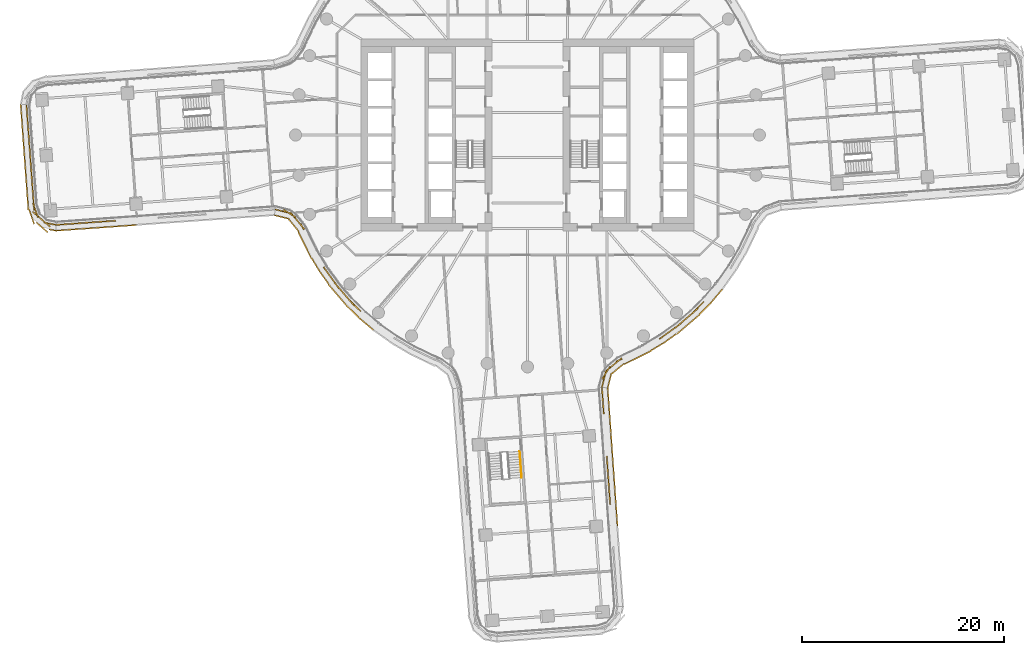
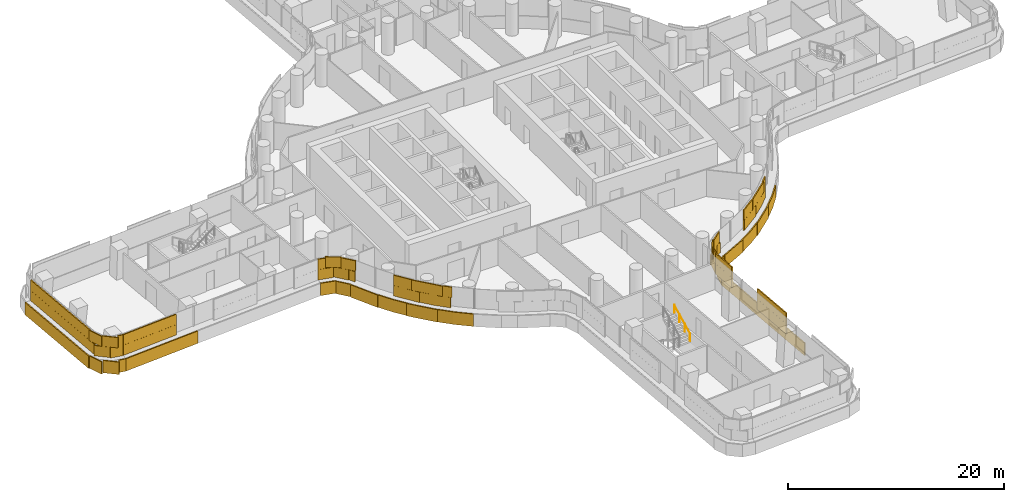
# One storey, part 26 of 31: 5 coverings, 1 railing.
"""IFC4 building model written with IfcOpenShell, lengths in metres."""

from ifc_helpers import new_model, si_unit, direction, frame, origin, origin_2d, place, context, subcontext, project, spatial, rectangle, circle, extrude, material, layer, layer_set, type_object, element, save


model = new_model("IFC4")

# Units and contexts
model_context = context("Model", 3, precision=1e-05, world=origin(), true_north=direction((0.0, 1.0)))
body_context = subcontext(model_context, "Body", "Model", "MODEL_VIEW")
ifc_project = project(units=[si_unit("LENGTHUNIT", "METRE"), si_unit("AREAUNIT", "SQUARE_METRE"), si_unit("VOLUMEUNIT", "CUBIC_METRE"), si_unit("PLANEANGLEUNIT", "RADIAN"), si_unit("MASSUNIT", "GRAM", prefix="KILO")], contexts=[model_context])

# Site, building, storey
site_placement = place(None, origin())
site = spatial("IfcSite", under=ifc_project, at=site_placement, CompositionType="ELEMENT")
building_placement = place(site_placement, origin())
building = spatial("IfcBuilding", under=site, at=building_placement, Name="Tamarind Cross Interchange Tower", CompositionType="ELEMENT")
storey_placement = place(building_placement, frame((0.0, 0.0, 49.0)))
storey = spatial("IfcBuildingStorey", under=building, at=storey_placement, Name="L10", CompositionType="ELEMENT", Elevation=49.0)

# Railing
ifc_material_1 = material(Name="Stair handrail")
railing_type = type_object("IfcRailingType", Name="Stair handrail", PredefinedType="HANDRAIL", material=ifc_material_1)
railing_placement = place(storey_placement, frame((-0.578857421875, -33.97412109375, 2.04541015625)))
element("IfcRailing", 1, at=railing_placement, inside=storey, type_object=railing_type, Name="L10 ST6 stair handrail 2", PredefinedType="HANDRAIL", context=body_context, shape_type="SweptSolid", body=[
    extrude(circle(Radius=0.02392578125, at=origin_2d()), frame((0.0, 0.0, 0.8759765625), z_axis=(-0.060934966384, 0.834086614599, 0.548257648572), x_axis=(-0.997342050875, -0.072861742749, 0.0)), (0.0, 0.0, 1.0), 3.109130859375),
    extrude(circle(Radius=0.02099609375, at=origin_2d()), origin(), (0.0, 0.0, 1.0), 0.851806640625),
    extrude(circle(Radius=0.02099609375, at=origin_2d()), frame((-0.063232421875, 0.864501953125, 0.568115234375)), (0.0, 0.0, 1.0), 0.851806640625),
    extrude(circle(Radius=0.02099609375, at=origin_2d()), frame((-0.126220703125, 1.728759765625, 1.136474609375)), (0.0, 0.0, 1.0), 0.851806640625),
    extrude(circle(Radius=0.02099609375, at=origin_2d()), frame((-0.189453125, 2.59326171875, 1.70458984375)), (0.0, 0.0, 1.0), 0.851806640625),
])

# Coverings
ifc_material_2 = material(Name="Terracotta", Category="masonry")
ifc_layer = layer(ifc_material_2, 0.1201171875)
ifc_layer_set = layer_set([ifc_layer], Name="Terracotta")
covering_type = type_object("IfcCoveringType", Name="Terracotta baguette screen unit", PredefinedType="MOLDING", material=ifc_layer_set)
covering_1_placement = place(storey_placement, origin())
element("IfcCovering", 2, at=covering_1_placement, inside=storey, type_object=covering_type, Name="SCR-L10-04-00", PredefinedType="MOLDING", context=body_context, shape_type="SweptSolid", body=[
    extrude(rectangle(XDim=1.510009765625, YDim=0.1201171875, at=origin_2d()), frame((-49.640380859375, 2.25341796875, 1.404052734375), z_axis=(0.0, 0.0, 1.0), x_axis=(0.072876138746, -0.997340999058, 0.0)), (0.0, 0.0, 1.0), 1.1669921875),
    extrude(rectangle(XDim=1.52001953125, YDim=0.1201171875, at=origin_2d()), frame((-49.53125, 0.757568359375, 1.404052734375), z_axis=(0.0, 0.0, 1.0), x_axis=(0.072876138746, -0.997340999058, 0.0)), (0.0, 0.0, 1.0), 1.1669921875),
    extrude(rectangle(XDim=1.52001953125, YDim=0.1201171875, at=origin_2d()), frame((-49.421875, -0.738525390625, 1.404052734375), z_axis=(0.0, 0.0, 1.0), x_axis=(0.072876138746, -0.997340999058, 0.0)), (0.0, 0.0, 1.0), 1.1669921875),
    extrude(rectangle(XDim=1.52001953125, YDim=0.1201171875, at=origin_2d()), frame((-49.3125, -2.234619140625, 1.404052734375), z_axis=(0.0, 0.0, 1.0), x_axis=(0.072876138746, -0.997340999058, 0.0)), (0.0, 0.0, 1.0), 1.1669921875),
    extrude(rectangle(XDim=1.52001953125, YDim=0.1201171875, at=origin_2d()), frame((-49.203125, -3.73046875, 1.404052734375), z_axis=(0.0, 0.0, 1.0), x_axis=(0.072876138746, -0.997340999058, 0.0)), (0.0, 0.0, 1.0), 1.1669921875),
    extrude(rectangle(XDim=1.52001953125, YDim=0.1201171875, at=origin_2d()), frame((-49.093994140625, -5.2265625, 1.404052734375), z_axis=(0.0, 0.0, 1.0), x_axis=(0.072876138746, -0.997340999058, 0.0)), (0.0, 0.0, 1.0), 1.1669921875),
    extrude(rectangle(XDim=1.52001953125, YDim=0.1201171875, at=origin_2d()), frame((-48.984619140625, -6.72265625, 1.404052734375), z_axis=(0.0, 0.0, 1.0), x_axis=(0.072876138746, -0.997340999058, 0.0)), (0.0, 0.0, 1.0), 1.1669921875),
    extrude(rectangle(XDim=1.52001953125, YDim=0.1201171875, at=origin_2d()), frame((-48.495361328125, -8.108642578125, 1.404052734375), z_axis=(0.0, 0.0, 1.0), x_axis=(0.756757795483, -0.653695371695, 0.0)), (0.0, 0.0, 1.0), 1.1669921875),
    extrude(rectangle(XDim=1.259521484375, YDim=0.1201171875, at=origin_2d()), frame((-47.3544921875, -8.79931640625, 1.404052734375), z_axis=(0.0, 0.0, 1.0), x_axis=(0.982219161248, -0.187737900482, 0.0)), (0.0, 0.0, 1.0), 1.1669921875),
    extrude(rectangle(XDim=0.760009765625, YDim=0.1201171875, at=origin_2d()), frame((-49.667724609375, 2.62744140625, 2.5791015625), z_axis=(0.0, 0.0, 1.0), x_axis=(0.072876138746, -0.997340999058, 0.0)), (0.0, 0.0, 1.0), 1.1669921875),
    extrude(rectangle(XDim=1.52001953125, YDim=0.1201171875, at=origin_2d()), frame((-49.5859375, 1.505615234375, 2.5791015625), z_axis=(0.0, 0.0, 1.0), x_axis=(0.072876138746, -0.997340999058, 0.0)), (0.0, 0.0, 1.0), 1.1669921875),
    extrude(rectangle(XDim=1.52001953125, YDim=0.1201171875, at=origin_2d()), frame((-49.4765625, 0.009521484375, 2.5791015625), z_axis=(0.0, 0.0, 1.0), x_axis=(0.072876138746, -0.997340999058, 0.0)), (0.0, 0.0, 1.0), 1.1669921875),
    extrude(rectangle(XDim=1.52001953125, YDim=0.1201171875, at=origin_2d()), frame((-49.3671875, -1.486572265625, 2.5791015625), z_axis=(0.0, 0.0, 1.0), x_axis=(0.072876138746, -0.997340999058, 0.0)), (0.0, 0.0, 1.0), 1.1669921875),
    extrude(rectangle(XDim=1.52001953125, YDim=0.1201171875, at=origin_2d()), frame((-49.2578125, -2.982421875, 2.5791015625), z_axis=(0.0, 0.0, 1.0), x_axis=(0.072876138746, -0.997340999058, 0.0)), (0.0, 0.0, 1.0), 1.1669921875),
    extrude(rectangle(XDim=1.52001953125, YDim=0.1201171875, at=origin_2d()), frame((-49.148681640625, -4.478515625, 2.5791015625), z_axis=(0.0, 0.0, 1.0), x_axis=(0.072876138746, -0.997340999058, 0.0)), (0.0, 0.0, 1.0), 1.1669921875),
    extrude(rectangle(XDim=1.52001953125, YDim=0.1201171875, at=origin_2d()), frame((-49.039306640625, -5.974609375, 2.5791015625), z_axis=(0.0, 0.0, 1.0), x_axis=(0.072876138746, -0.997340999058, 0.0)), (0.0, 0.0, 1.0), 1.1669921875),
    extrude(rectangle(XDim=1.52001953125, YDim=0.1201171875, at=origin_2d()), frame((-48.80810546875, -7.4453125, 2.5791015625), z_axis=(0.0, 0.0, 1.0), x_axis=(0.328523789553, -0.944495695966, 0.0)), (0.0, 0.0, 1.0), 1.1669921875),
    extrude(rectangle(XDim=1.52001953125, YDim=0.1201171875, at=origin_2d()), frame((-47.927734375, -8.598876953125, 2.5791015625), z_axis=(0.0, 0.0, 1.0), x_axis=(0.756757795483, -0.653695371695, 0.0)), (0.0, 0.0, 1.0), 1.1669921875),
    extrude(rectangle(XDim=0.509521484375, YDim=0.1201171875, at=origin_2d()), frame((-46.986083984375, -8.869873046875, 2.5791015625), z_axis=(0.0, 0.0, 1.0), x_axis=(0.982219161248, -0.187737900482, 0.0)), (0.0, 0.0, 1.0), 1.1669921875),
    extrude(rectangle(XDim=1.510009765625, YDim=0.1201171875, at=origin_2d()), frame((-50.218017578125, 2.281982421875, 0.00390625), z_axis=(0.0, 0.0, 1.0), x_axis=(0.072876138746, -0.997340999058, 0.0)), (0.0, 0.0, 1.0), 1.39208984375),
    extrude(rectangle(XDim=1.52001953125, YDim=0.1201171875, at=origin_2d()), frame((-50.109130859375, 0.791015625, 0.00390625), z_axis=(0.0, 0.0, 1.0), x_axis=(0.072876138746, -0.997340999058, 0.0)), (0.0, 0.0, 1.0), 1.39208984375),
    extrude(rectangle(XDim=1.52001953125, YDim=0.1201171875, at=origin_2d()), frame((-49.999755859375, -0.705078125, 0.00390625), z_axis=(0.0, 0.0, 1.0), x_axis=(0.072876138746, -0.997340999058, 0.0)), (0.0, 0.0, 1.0), 1.39208984375),
    extrude(rectangle(XDim=1.52001953125, YDim=0.1201171875, at=origin_2d()), frame((-49.890625, -2.200927734375, 0.00390625), z_axis=(0.0, 0.0, 1.0), x_axis=(0.072876138746, -0.997340999058, 0.0)), (0.0, 0.0, 1.0), 1.39208984375),
    extrude(rectangle(XDim=1.52001953125, YDim=0.1201171875, at=origin_2d()), frame((-49.78125, -3.697021484375, 0.00390625), z_axis=(0.0, 0.0, 1.0), x_axis=(0.072876138746, -0.997340999058, 0.0)), (0.0, 0.0, 1.0), 1.39208984375),
    extrude(rectangle(XDim=1.52001953125, YDim=0.1201171875, at=origin_2d()), frame((-49.671875, -5.193115234375, 0.00390625), z_axis=(0.0, 0.0, 1.0), x_axis=(0.072876138746, -0.997340999058, 0.0)), (0.0, 0.0, 1.0), 1.39208984375),
    extrude(rectangle(XDim=1.52001953125, YDim=0.1201171875, at=origin_2d()), frame((-49.5625, -6.68896484375, 0.00390625), z_axis=(0.0, 0.0, 1.0), x_axis=(0.072876138746, -0.997340999058, 0.0)), (0.0, 0.0, 1.0), 1.39208984375),
    extrude(rectangle(XDim=1.52001953125, YDim=0.1201171875, at=origin_2d()), frame((-49.178466796875, -8.128173828125, 0.00390625), z_axis=(0.0, 0.0, 1.0), x_axis=(0.328523789553, -0.944495695966, 0.0)), (0.0, 0.0, 1.0), 1.39208984375),
    extrude(rectangle(XDim=1.52001953125, YDim=0.1201171875, at=origin_2d()), frame((-48.139892578125, -9.17431640625, 0.00390625), z_axis=(0.0, 0.0, 1.0), x_axis=(0.756757795483, -0.653695371695, 0.0)), (0.0, 0.0, 1.0), 1.39208984375),
    extrude(rectangle(XDim=0.676513671875, YDim=0.1201171875, at=origin_2d()), frame((-47.107177734375, -9.43115234375, 0.00390625), z_axis=(0.0, 0.0, 1.0), x_axis=(0.982219161248, -0.187737900482, 0.0)), (0.0, 0.0, 1.0), 1.39208984375),
])
covering_2_placement = place(storey_placement, origin())
element("IfcCovering", 3, at=covering_2_placement, inside=storey, type_object=covering_type, Name="SCR-L10-05-00", PredefinedType="MOLDING", context=body_context, shape_type="SweptSolid", body=[
    extrude(rectangle(XDim=1.510009765625, YDim=0.1201171875, at=origin_2d()), frame((-45.99267578125, -8.86376953125, 1.404052734375), z_axis=(0.0, 0.0, 1.0), x_axis=(0.997505146966, 0.070593780008, 0.0)), (0.0, 0.0, 1.0), 1.1669921875),
    extrude(rectangle(XDim=1.52001953125, YDim=0.1201171875, at=origin_2d()), frame((-44.496337890625, -8.7578125, 1.404052734375), z_axis=(0.0, 0.0, 1.0), x_axis=(0.997505146966, 0.070593780008, 0.0)), (0.0, 0.0, 1.0), 1.1669921875),
    extrude(rectangle(XDim=1.52001953125, YDim=0.1201171875, at=origin_2d()), frame((-43.0, -8.65185546875, 1.404052734375), z_axis=(0.0, 0.0, 1.0), x_axis=(0.997505146966, 0.070593780008, 0.0)), (0.0, 0.0, 1.0), 1.1669921875),
    extrude(rectangle(XDim=1.421630859375, YDim=0.1201171875, at=origin_2d()), frame((-41.5478515625, -8.549072265625, 1.404052734375), z_axis=(0.0, 0.0, 1.0), x_axis=(0.997505146966, 0.070593780008, 0.0)), (0.0, 0.0, 1.0), 1.1669921875),
    extrude(rectangle(XDim=0.760009765625, YDim=0.1201171875, at=origin_2d()), frame((-46.36669921875, -8.89013671875, 2.5791015625), z_axis=(0.0, 0.0, 1.0), x_axis=(0.997505146966, 0.070593780008, 0.0)), (0.0, 0.0, 1.0), 1.1669921875),
    extrude(rectangle(XDim=1.52001953125, YDim=0.1201171875, at=origin_2d()), frame((-45.244384765625, -8.810791015625, 2.5791015625), z_axis=(0.0, 0.0, 1.0), x_axis=(0.997505146966, 0.070593780008, 0.0)), (0.0, 0.0, 1.0), 1.1669921875),
    extrude(rectangle(XDim=1.52001953125, YDim=0.1201171875, at=origin_2d()), frame((-43.748291015625, -8.704833984375, 2.5791015625), z_axis=(0.0, 0.0, 1.0), x_axis=(0.997505146966, 0.070593780008, 0.0)), (0.0, 0.0, 1.0), 1.1669921875),
    extrude(rectangle(XDim=1.52001953125, YDim=0.1201171875, at=origin_2d()), frame((-42.251953125, -8.59912109375, 2.5791015625), z_axis=(0.0, 0.0, 1.0), x_axis=(0.997505146966, 0.070593780008, 0.0)), (0.0, 0.0, 1.0), 1.1669921875),
    extrude(rectangle(XDim=0.671630859375, YDim=0.1201171875, at=origin_2d()), frame((-41.173828125, -8.522705078125, 2.5791015625), z_axis=(0.0, 0.0, 1.0), x_axis=(0.997505146966, 0.070593780008, 0.0)), (0.0, 0.0, 1.0), 1.1669921875),
    extrude(rectangle(XDim=1.510009765625, YDim=0.1201171875, at=origin_2d()), frame((-46.021728515625, -9.441162109375, 0.00390625), z_axis=(0.0, 0.0, 1.0), x_axis=(0.997505146966, 0.070593780008, 0.0)), (0.0, 0.0, 1.0), 1.39208984375),
    extrude(rectangle(XDim=1.52001953125, YDim=0.1201171875, at=origin_2d()), frame((-44.530517578125, -9.335693359375, 0.00390625), z_axis=(0.0, 0.0, 1.0), x_axis=(0.997505146966, 0.070593780008, 0.0)), (0.0, 0.0, 1.0), 1.39208984375),
    extrude(rectangle(XDim=1.52001953125, YDim=0.1201171875, at=origin_2d()), frame((-43.0341796875, -9.229736328125, 0.00390625), z_axis=(0.0, 0.0, 1.0), x_axis=(0.997505146966, 0.070593780008, 0.0)), (0.0, 0.0, 1.0), 1.39208984375),
    extrude(rectangle(XDim=1.52001953125, YDim=0.1201171875, at=origin_2d()), frame((-41.5380859375, -9.1240234375, 0.00390625), z_axis=(0.0, 0.0, 1.0), x_axis=(0.997505146966, 0.070593780008, 0.0)), (0.0, 0.0, 1.0), 1.39208984375),
    extrude(rectangle(XDim=1.52001953125, YDim=0.1201171875, at=origin_2d()), frame((-40.041748046875, -9.01806640625, 0.00390625), z_axis=(0.0, 0.0, 1.0), x_axis=(0.997505146966, 0.070593780008, 0.0)), (0.0, 0.0, 1.0), 1.39208984375),
    extrude(rectangle(XDim=0.515625, YDim=0.1201171875, at=origin_2d()), frame((-39.04638671875, -8.947509765625, 0.00390625), z_axis=(0.0, 0.0, 1.0), x_axis=(0.997505146966, 0.070593780008, 0.0)), (0.0, 0.0, 1.0), 1.39208984375),
])
covering_3_placement = place(storey_placement, origin())
element("IfcCovering", 4, at=covering_3_placement, inside=storey, type_object=covering_type, Name="SCR-L10-06-00", PredefinedType="MOLDING", context=body_context, shape_type="SweptSolid", body=[
    extrude(rectangle(XDim=1.510009765625, YDim=0.1201171875, at=origin_2d()), frame((-24.30810546875, -7.5625, 1.404052734375), z_axis=(0.0, 0.0, 1.0), x_axis=(0.970140768111, -0.24254255307, 0.0)), (0.0, 0.0, 1.0), 1.1669921875),
    extrude(rectangle(XDim=1.52001953125, YDim=0.1201171875, at=origin_2d()), frame((-23.026123046875, -8.25537109375, 1.404052734375), z_axis=(0.0, 0.0, 1.0), x_axis=(0.636504259812, -0.771273185869, 0.0)), (0.0, 0.0, 1.0), 1.1669921875),
    extrude(rectangle(XDim=0.6767578125, YDim=0.1201171875, at=origin_2d()), frame((-22.33984375, -9.093017578125, 1.404052734375), z_axis=(0.0, 0.0, 1.0), x_axis=(0.432129846879, -0.901811396821, 0.0)), (0.0, 0.0, 1.0), 1.1669921875),
    extrude(rectangle(XDim=1.143310546875, YDim=0.1201171875, at=origin_2d()), frame((-19.89208984375, -13.558837890625, 1.404052734375), z_axis=(0.0, 0.0, 1.0), x_axis=(0.584573890505, -0.811340475102, 0.0)), (0.0, 0.0, 1.0), 1.1669921875),
    extrude(rectangle(XDim=1.52001953125, YDim=0.1201171875, at=origin_2d()), frame((-19.12255859375, -14.627197265625, 1.404052734375), z_axis=(0.0, 0.0, 1.0), x_axis=(0.584573890505, -0.811340475102, 0.0)), (0.0, 0.0, 1.0), 1.1669921875),
    extrude(rectangle(XDim=1.52001953125, YDim=0.1201171875, at=origin_2d()), frame((-18.16796875, -15.783203125, 1.404052734375), z_axis=(0.0, 0.0, 1.0), x_axis=(0.64957723968, -0.760295606781, 0.0)), (0.0, 0.0, 1.0), 1.1669921875),
    extrude(rectangle(XDim=1.52001953125, YDim=0.1201171875, at=origin_2d()), frame((-17.151123046875, -16.884033203125, 1.404052734375), z_axis=(0.0, 0.0, 1.0), x_axis=(0.710143317658, -0.704057148523, 0.0)), (0.0, 0.0, 1.0), 1.1669921875),
    extrude(rectangle(XDim=0.760009765625, YDim=0.1201171875, at=origin_2d()), frame((-24.671875, -7.4716796875, 2.5791015625), z_axis=(0.0, 0.0, 1.0), x_axis=(0.970140768111, -0.24254255307, 0.0)), (0.0, 0.0, 1.0), 1.1669921875),
    extrude(rectangle(XDim=1.52001953125, YDim=0.1201171875, at=origin_2d()), frame((-23.59716796875, -7.783203125, 2.5791015625), z_axis=(0.0, 0.0, 1.0), x_axis=(0.845704488554, -0.533651494929, 0.0)), (0.0, 0.0, 1.0), 1.1669921875),
    extrude(rectangle(XDim=1.4267578125, YDim=0.1201171875, at=origin_2d()), frame((-22.5751953125, -8.8017578125, 2.5791015625), z_axis=(0.0, 0.0, 1.0), x_axis=(0.636504259812, -0.771273185869, 0.0)), (0.0, 0.0, 1.0), 1.1669921875),
    extrude(rectangle(XDim=0.393310546875, YDim=0.1201171875, at=origin_2d()), frame((-20.11083984375, -13.25439453125, 2.5791015625), z_axis=(0.0, 0.0, 1.0), x_axis=(0.515577308909, -0.856843065292, 0.0)), (0.0, 0.0, 1.0), 1.1669921875),
    extrude(rectangle(XDim=1.52001953125, YDim=0.1201171875, at=origin_2d()), frame((-19.560791015625, -14.0185546875, 2.5791015625), z_axis=(0.0, 0.0, 1.0), x_axis=(0.584573890505, -0.811340475102, 0.0)), (0.0, 0.0, 1.0), 1.1669921875),
    extrude(rectangle(XDim=1.52001953125, YDim=0.1201171875, at=origin_2d()), frame((-18.6552734375, -15.212890625, 2.5791015625), z_axis=(0.0, 0.0, 1.0), x_axis=(0.64957723968, -0.760295606781, 0.0)), (0.0, 0.0, 1.0), 1.1669921875),
    extrude(rectangle(XDim=1.52001953125, YDim=0.1201171875, at=origin_2d()), frame((-17.680908203125, -16.353515625, 2.5791015625), z_axis=(0.0, 0.0, 1.0), x_axis=(0.64957723968, -0.760295606781, 0.0)), (0.0, 0.0, 1.0), 1.1669921875),
    extrude(rectangle(XDim=0.895751953125, YDim=0.1201171875, at=origin_2d()), frame((-16.83642578125, -17.196044921875, 2.5791015625), z_axis=(0.0, 0.0, 1.0), x_axis=(0.710143317658, -0.704057148523, 0.0)), (0.0, 0.0, 1.0), 1.1669921875),
    extrude(rectangle(XDim=1.510009765625, YDim=0.1201171875, at=origin_2d()), frame((-24.35400390625, -8.142822265625, 0.00390625), z_axis=(0.0, 0.0, 1.0), x_axis=(0.970140768111, -0.24254255307, 0.0)), (0.0, 0.0, 1.0), 1.39208984375),
    extrude(rectangle(XDim=1.52001953125, YDim=0.1201171875, at=origin_2d()), frame((-23.176513671875, -8.97509765625, 0.00390625), z_axis=(0.0, 0.0, 1.0), x_axis=(0.636504259812, -0.771273185869, 0.0)), (0.0, 0.0, 1.0), 1.39208984375),
    extrude(rectangle(XDim=1.52001953125, YDim=0.1201171875, at=origin_2d()), frame((-22.41552734375, -10.256103515625, 0.00390625), z_axis=(0.0, 0.0, 1.0), x_axis=(0.443058811505, -0.896492548518, 0.0)), (0.0, 0.0, 1.0), 1.39208984375),
    extrude(rectangle(XDim=1.52001953125, YDim=0.1201171875, at=origin_2d()), frame((-21.7509765625, -11.600830078125, 0.00390625), z_axis=(0.0, 0.0, 1.0), x_axis=(0.443058811505, -0.896492548518, 0.0)), (0.0, 0.0, 1.0), 1.39208984375),
    extrude(rectangle(XDim=1.52001953125, YDim=0.1201171875, at=origin_2d()), frame((-20.99609375, -12.896240234375, 0.00390625), z_axis=(0.0, 0.0, 1.0), x_axis=(0.515577308909, -0.856843065292, 0.0)), (0.0, 0.0, 1.0), 1.39208984375),
    extrude(rectangle(XDim=1.52001953125, YDim=0.1201171875, at=origin_2d()), frame((-20.174072265625, -14.1494140625, 0.00390625), z_axis=(0.0, 0.0, 1.0), x_axis=(0.584573890505, -0.811340475102, 0.0)), (0.0, 0.0, 1.0), 1.39208984375),
    extrude(rectangle(XDim=1.52001953125, YDim=0.1201171875, at=origin_2d()), frame((-19.286376953125, -15.35791015625, 0.00390625), z_axis=(0.0, 0.0, 1.0), x_axis=(0.64957723968, -0.760295606781, 0.0)), (0.0, 0.0, 1.0), 1.39208984375),
    extrude(rectangle(XDim=1.52001953125, YDim=0.1201171875, at=origin_2d()), frame((-18.31201171875, -16.498291015625, 0.00390625), z_axis=(0.0, 0.0, 1.0), x_axis=(0.64957723968, -0.760295606781, 0.0)), (0.0, 0.0, 1.0), 1.39208984375),
    extrude(rectangle(XDim=1.52001953125, YDim=0.1201171875, at=origin_2d()), frame((-17.26904296875, -17.5751953125, 0.00390625), z_axis=(0.0, 0.0, 1.0), x_axis=(0.710143317658, -0.704057148523, 0.0)), (0.0, 0.0, 1.0), 1.39208984375),
    extrude(rectangle(XDim=1.52001953125, YDim=0.1201171875, at=origin_2d()), frame((-16.1708984375, -18.59521484375, 0.00390625), z_axis=(0.0, 0.0, 1.0), x_axis=(0.765858396687, -0.643009266048, 0.0)), (0.0, 0.0, 1.0), 1.39208984375),
    extrude(rectangle(XDim=0.4072265625, YDim=0.1201171875, at=origin_2d()), frame((-15.4482421875, -19.2021484375, 0.00390625), z_axis=(0.0, 0.0, 1.0), x_axis=(0.765858396687, -0.643009266048, 0.0)), (0.0, 0.0, 1.0), 1.39208984375),
])
covering_4_placement = place(storey_placement, origin())
element("IfcCovering", 5, at=covering_4_placement, inside=storey, type_object=covering_type, Name="SCR-L10-09-01", PredefinedType="MOLDING", context=body_context, shape_type="SweptSolid", body=[
    extrude(rectangle(XDim=0.398193359375, YDim=0.1201171875, at=origin_2d()), frame((8.189208984375, -36.46044921875, 1.404052734375), z_axis=(0.0, 0.0, 1.0), x_axis=(-0.070593780008, 0.997505146966, 0.0)), (0.0, 0.0, 1.0), 1.1669921875),
    extrude(rectangle(XDim=1.52001953125, YDim=0.1201171875, at=origin_2d()), frame((8.12255859375, -35.518798828125, 1.404052734375), z_axis=(0.0, 0.0, 1.0), x_axis=(-0.070593780008, 0.997505146966, 0.0)), (0.0, 0.0, 1.0), 1.1669921875),
    extrude(rectangle(XDim=1.52001953125, YDim=0.1201171875, at=origin_2d()), frame((8.0166015625, -34.0224609375, 1.404052734375), z_axis=(0.0, 0.0, 1.0), x_axis=(-0.070593780008, 0.997505146966, 0.0)), (0.0, 0.0, 1.0), 1.1669921875),
    extrude(rectangle(XDim=1.420654296875, YDim=0.1201171875, at=origin_2d()), frame((7.913818359375, -32.57080078125, 1.404052734375), z_axis=(0.0, 0.0, 1.0), x_axis=(-0.070593780008, 0.997505146966, 0.0)), (0.0, 0.0, 1.0), 1.1669921875),
    extrude(rectangle(XDim=0.3994140625, YDim=0.1201171875, at=origin_2d()), frame((7.553955078125, -27.4833984375, 1.404052734375), z_axis=(0.0, 0.0, 1.0), x_axis=(-0.070593780008, 0.997505146966, 0.0)), (0.0, 0.0, 1.0), 1.1669921875),
    extrude(rectangle(XDim=1.52001953125, YDim=0.1201171875, at=origin_2d()), frame((7.487060546875, -26.541259765625, 1.404052734375), z_axis=(0.0, 0.0, 1.0), x_axis=(-0.070593780008, 0.997505146966, 0.0)), (0.0, 0.0, 1.0), 1.1669921875),
    extrude(rectangle(XDim=0.769287109375, YDim=0.1201171875, at=origin_2d()), frame((7.407470703125, -25.414306640625, 1.404052734375), z_axis=(0.0, 0.0, 1.0), x_axis=(-0.070593780008, 0.997505146966, 0.0)), (0.0, 0.0, 1.0), 1.1669921875),
    extrude(rectangle(XDim=1.148193359375, YDim=0.1201171875, at=origin_2d()), frame((8.16259765625, -36.08642578125, 2.5791015625), z_axis=(0.0, 0.0, 1.0), x_axis=(-0.070593780008, 0.997505146966, 0.0)), (0.0, 0.0, 1.0), 1.1669921875),
    extrude(rectangle(XDim=1.52001953125, YDim=0.1201171875, at=origin_2d()), frame((8.069580078125, -34.770751953125, 2.5791015625), z_axis=(0.0, 0.0, 1.0), x_axis=(-0.070593780008, 0.997505146966, 0.0)), (0.0, 0.0, 1.0), 1.1669921875),
    extrude(rectangle(XDim=1.52001953125, YDim=0.1201171875, at=origin_2d()), frame((7.963623046875, -33.2744140625, 2.5791015625), z_axis=(0.0, 0.0, 1.0), x_axis=(-0.070593780008, 0.997505146966, 0.0)), (0.0, 0.0, 1.0), 1.1669921875),
    extrude(rectangle(XDim=0.670654296875, YDim=0.1201171875, at=origin_2d()), frame((7.887451171875, -32.19677734375, 2.5791015625), z_axis=(0.0, 0.0, 1.0), x_axis=(-0.070593780008, 0.997505146966, 0.0)), (0.0, 0.0, 1.0), 1.1669921875),
    extrude(rectangle(XDim=1.1494140625, YDim=0.1201171875, at=origin_2d()), frame((7.52734375, -27.109375, 2.5791015625), z_axis=(0.0, 0.0, 1.0), x_axis=(-0.070593780008, 0.997505146966, 0.0)), (0.0, 0.0, 1.0), 1.1669921875),
    extrude(rectangle(XDim=1.52001953125, YDim=0.1201171875, at=origin_2d()), frame((7.434326171875, -25.79296875, 2.5791015625), z_axis=(0.0, 0.0, 1.0), x_axis=(-0.070593780008, 0.997505146966, 0.0)), (0.0, 0.0, 1.0), 1.1669921875),
    extrude(rectangle(XDim=1.00439453125, YDim=0.1201171875, at=origin_2d()), frame((8.89404296875, -38.288330078125, 0.00390625), z_axis=(0.0, 0.0, 1.0), x_axis=(-0.070593780008, 0.997505146966, 0.0)), (0.0, 0.0, 1.0), 1.39208984375),
    extrude(rectangle(XDim=1.52001953125, YDim=0.1201171875, at=origin_2d()), frame((8.80615234375, -37.04931640625, 0.00390625), z_axis=(0.0, 0.0, 1.0), x_axis=(-0.070593780008, 0.997505146966, 0.0)), (0.0, 0.0, 1.0), 1.39208984375),
    extrude(rectangle(XDim=1.52001953125, YDim=0.1201171875, at=origin_2d()), frame((8.700439453125, -35.552978515625, 0.00390625), z_axis=(0.0, 0.0, 1.0), x_axis=(-0.070593780008, 0.997505146966, 0.0)), (0.0, 0.0, 1.0), 1.39208984375),
    extrude(rectangle(XDim=1.52001953125, YDim=0.1201171875, at=origin_2d()), frame((8.594482421875, -34.056640625, 0.00390625), z_axis=(0.0, 0.0, 1.0), x_axis=(-0.070593780008, 0.997505146966, 0.0)), (0.0, 0.0, 1.0), 1.39208984375),
    extrude(rectangle(XDim=1.52001953125, YDim=0.1201171875, at=origin_2d()), frame((8.488525390625, -32.560546875, 0.00390625), z_axis=(0.0, 0.0, 1.0), x_axis=(-0.070593780008, 0.997505146966, 0.0)), (0.0, 0.0, 1.0), 1.39208984375),
    extrude(rectangle(XDim=1.52001953125, YDim=0.1201171875, at=origin_2d()), frame((8.3828125, -31.064208984375, 0.00390625), z_axis=(0.0, 0.0, 1.0), x_axis=(-0.070593780008, 0.997505146966, 0.0)), (0.0, 0.0, 1.0), 1.39208984375),
    extrude(rectangle(XDim=1.52001953125, YDim=0.1201171875, at=origin_2d()), frame((8.27685546875, -29.56787109375, 0.00390625), z_axis=(0.0, 0.0, 1.0), x_axis=(-0.070593780008, 0.997505146966, 0.0)), (0.0, 0.0, 1.0), 1.39208984375),
    extrude(rectangle(XDim=1.52001953125, YDim=0.1201171875, at=origin_2d()), frame((8.1708984375, -28.07177734375, 0.00390625), z_axis=(0.0, 0.0, 1.0), x_axis=(-0.070593780008, 0.997505146966, 0.0)), (0.0, 0.0, 1.0), 1.39208984375),
    extrude(rectangle(XDim=1.52001953125, YDim=0.1201171875, at=origin_2d()), frame((8.06494140625, -26.575439453125, 0.00390625), z_axis=(0.0, 0.0, 1.0), x_axis=(-0.070593780008, 0.997505146966, 0.0)), (0.0, 0.0, 1.0), 1.39208984375),
    extrude(rectangle(XDim=0.752685546875, YDim=0.1201171875, at=origin_2d()), frame((7.986328125, -25.4619140625, 0.00390625), z_axis=(0.0, 0.0, 1.0), x_axis=(-0.070593780008, 0.997505146966, 0.0)), (0.0, 0.0, 1.0), 1.39208984375),
])
covering_5_placement = place(storey_placement, origin())
element("IfcCovering", 6, at=covering_5_placement, inside=storey, type_object=covering_type, Name="SCR-L10-10-00", PredefinedType="MOLDING", context=body_context, shape_type="SweptSolid", body=[
    extrude(rectangle(XDim=1.510009765625, YDim=0.1201171875, at=origin_2d()), frame((7.5625, -24.30810546875, 1.404052734375), z_axis=(0.0, 0.0, 1.0), x_axis=(0.24254255307, 0.970140768111, 0.0)), (0.0, 0.0, 1.0), 1.1669921875),
    extrude(rectangle(XDim=1.52001953125, YDim=0.1201171875, at=origin_2d()), frame((8.25537109375, -23.026123046875, 1.404052734375), z_axis=(0.0, 0.0, 1.0), x_axis=(0.771273185869, 0.636504259812, 0.0)), (0.0, 0.0, 1.0), 1.1669921875),
    extrude(rectangle(XDim=0.6767578125, YDim=0.1201171875, at=origin_2d()), frame((9.093017578125, -22.33984375, 1.404052734375), z_axis=(0.0, 0.0, 1.0), x_axis=(0.901811396821, 0.432129846879, 0.0)), (0.0, 0.0, 1.0), 1.1669921875),
    extrude(rectangle(XDim=1.143310546875, YDim=0.1201171875, at=origin_2d()), frame((13.558837890625, -19.89208984375, 1.404052734375), z_axis=(0.0, 0.0, 1.0), x_axis=(0.811340475102, 0.584573890505, 0.0)), (0.0, 0.0, 1.0), 1.1669921875),
    extrude(rectangle(XDim=1.52001953125, YDim=0.1201171875, at=origin_2d()), frame((14.627197265625, -19.12255859375, 1.404052734375), z_axis=(0.0, 0.0, 1.0), x_axis=(0.811340475102, 0.584573890505, 0.0)), (0.0, 0.0, 1.0), 1.1669921875),
    extrude(rectangle(XDim=1.52001953125, YDim=0.1201171875, at=origin_2d()), frame((15.783203125, -18.16796875, 1.404052734375), z_axis=(0.0, 0.0, 1.0), x_axis=(0.760295606781, 0.64957723968, 0.0)), (0.0, 0.0, 1.0), 1.1669921875),
    extrude(rectangle(XDim=1.52001953125, YDim=0.1201171875, at=origin_2d()), frame((16.884033203125, -17.151123046875, 1.404052734375), z_axis=(0.0, 0.0, 1.0), x_axis=(0.704057148523, 0.710143317658, 0.0)), (0.0, 0.0, 1.0), 1.1669921875),
    extrude(rectangle(XDim=0.760009765625, YDim=0.1201171875, at=origin_2d()), frame((7.4716796875, -24.671875, 2.5791015625), z_axis=(0.0, 0.0, 1.0), x_axis=(0.24254255307, 0.970140768111, 0.0)), (0.0, 0.0, 1.0), 1.1669921875),
    extrude(rectangle(XDim=1.52001953125, YDim=0.1201171875, at=origin_2d()), frame((7.783203125, -23.59716796875, 2.5791015625), z_axis=(0.0, 0.0, 1.0), x_axis=(0.533651494929, 0.845704488554, 0.0)), (0.0, 0.0, 1.0), 1.1669921875),
    extrude(rectangle(XDim=1.4267578125, YDim=0.1201171875, at=origin_2d()), frame((8.8017578125, -22.5751953125, 2.5791015625), z_axis=(0.0, 0.0, 1.0), x_axis=(0.771273185869, 0.636504259812, 0.0)), (0.0, 0.0, 1.0), 1.1669921875),
    extrude(rectangle(XDim=0.393310546875, YDim=0.1201171875, at=origin_2d()), frame((13.25439453125, -20.11083984375, 2.5791015625), z_axis=(0.0, 0.0, 1.0), x_axis=(0.856843065292, 0.515577308909, 0.0)), (0.0, 0.0, 1.0), 1.1669921875),
    extrude(rectangle(XDim=1.52001953125, YDim=0.1201171875, at=origin_2d()), frame((14.0185546875, -19.560791015625, 2.5791015625), z_axis=(0.0, 0.0, 1.0), x_axis=(0.811340475102, 0.584573890505, 0.0)), (0.0, 0.0, 1.0), 1.1669921875),
    extrude(rectangle(XDim=1.52001953125, YDim=0.1201171875, at=origin_2d()), frame((15.212890625, -18.6552734375, 2.5791015625), z_axis=(0.0, 0.0, 1.0), x_axis=(0.760295606781, 0.64957723968, 0.0)), (0.0, 0.0, 1.0), 1.1669921875),
    extrude(rectangle(XDim=1.52001953125, YDim=0.1201171875, at=origin_2d()), frame((16.353515625, -17.680908203125, 2.5791015625), z_axis=(0.0, 0.0, 1.0), x_axis=(0.760295606781, 0.64957723968, 0.0)), (0.0, 0.0, 1.0), 1.1669921875),
    extrude(rectangle(XDim=0.895751953125, YDim=0.1201171875, at=origin_2d()), frame((17.196044921875, -16.83642578125, 2.5791015625), z_axis=(0.0, 0.0, 1.0), x_axis=(0.704057148523, 0.710143317658, 0.0)), (0.0, 0.0, 1.0), 1.1669921875),
    extrude(rectangle(XDim=1.510009765625, YDim=0.1201171875, at=origin_2d()), frame((8.142822265625, -24.35400390625, 0.00390625), z_axis=(0.0, 0.0, 1.0), x_axis=(0.24254255307, 0.970140768111, 0.0)), (0.0, 0.0, 1.0), 1.39208984375),
    extrude(rectangle(XDim=1.52001953125, YDim=0.1201171875, at=origin_2d()), frame((8.97509765625, -23.176513671875, 0.00390625), z_axis=(0.0, 0.0, 1.0), x_axis=(0.771273185869, 0.636504259812, 0.0)), (0.0, 0.0, 1.0), 1.39208984375),
    extrude(rectangle(XDim=1.52001953125, YDim=0.1201171875, at=origin_2d()), frame((10.256103515625, -22.41552734375, 0.00390625), z_axis=(0.0, 0.0, 1.0), x_axis=(0.896492548518, 0.443058811505, 0.0)), (0.0, 0.0, 1.0), 1.39208984375),
    extrude(rectangle(XDim=1.52001953125, YDim=0.1201171875, at=origin_2d()), frame((11.600830078125, -21.7509765625, 0.00390625), z_axis=(0.0, 0.0, 1.0), x_axis=(0.896492548518, 0.443058811505, 0.0)), (0.0, 0.0, 1.0), 1.39208984375),
    extrude(rectangle(XDim=1.52001953125, YDim=0.1201171875, at=origin_2d()), frame((12.896240234375, -20.99609375, 0.00390625), z_axis=(0.0, 0.0, 1.0), x_axis=(0.856843065292, 0.515577308909, 0.0)), (0.0, 0.0, 1.0), 1.39208984375),
    extrude(rectangle(XDim=1.52001953125, YDim=0.1201171875, at=origin_2d()), frame((14.1494140625, -20.174072265625, 0.00390625), z_axis=(0.0, 0.0, 1.0), x_axis=(0.811340475102, 0.584573890505, 0.0)), (0.0, 0.0, 1.0), 1.39208984375),
    extrude(rectangle(XDim=1.52001953125, YDim=0.1201171875, at=origin_2d()), frame((15.35791015625, -19.286376953125, 0.00390625), z_axis=(0.0, 0.0, 1.0), x_axis=(0.760295606781, 0.64957723968, 0.0)), (0.0, 0.0, 1.0), 1.39208984375),
    extrude(rectangle(XDim=1.52001953125, YDim=0.1201171875, at=origin_2d()), frame((16.498291015625, -18.31201171875, 0.00390625), z_axis=(0.0, 0.0, 1.0), x_axis=(0.760295606781, 0.64957723968, 0.0)), (0.0, 0.0, 1.0), 1.39208984375),
    extrude(rectangle(XDim=1.52001953125, YDim=0.1201171875, at=origin_2d()), frame((17.5751953125, -17.26904296875, 0.00390625), z_axis=(0.0, 0.0, 1.0), x_axis=(0.704057148523, 0.710143317658, 0.0)), (0.0, 0.0, 1.0), 1.39208984375),
    extrude(rectangle(XDim=1.52001953125, YDim=0.1201171875, at=origin_2d()), frame((18.59521484375, -16.1708984375, 0.00390625), z_axis=(0.0, 0.0, 1.0), x_axis=(0.643009266048, 0.765858396687, 0.0)), (0.0, 0.0, 1.0), 1.39208984375),
    extrude(rectangle(XDim=0.4072265625, YDim=0.1201171875, at=origin_2d()), frame((19.2021484375, -15.4482421875, 0.00390625), z_axis=(0.0, 0.0, 1.0), x_axis=(0.643009266048, 0.765858396687, 0.0)), (0.0, 0.0, 1.0), 1.39208984375),
])

save(model, "model.ifc")
